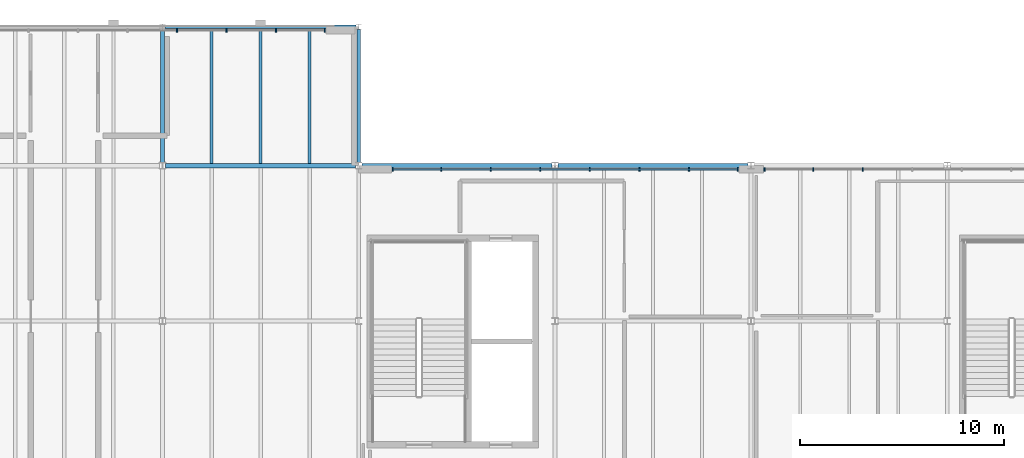
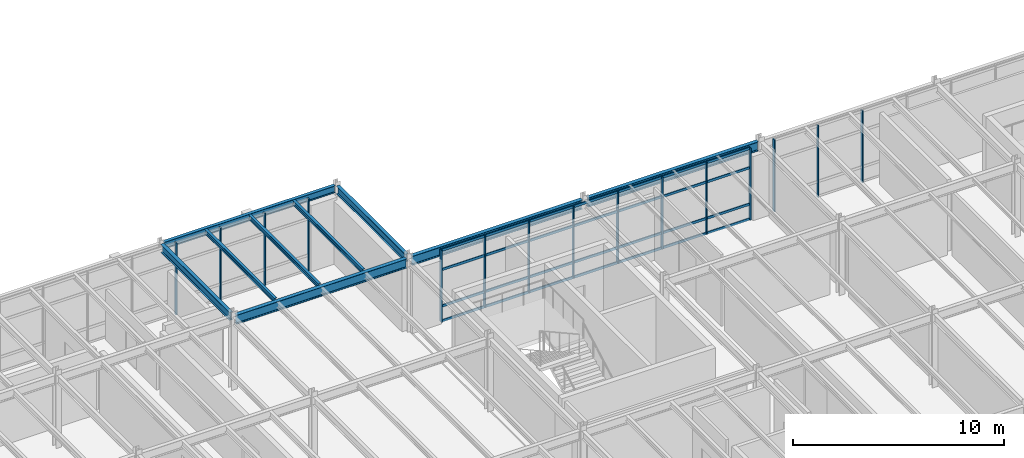
# One storey, part 30 of 69: 19 members, 9 beams, 3 elements without a shape of their own.
"""IFC4 building model written with IfcOpenShell, lengths in metres."""

from ifc_helpers import new_model, si_unit, direction, frame, origin, origin_2d, place, context, subcontext, project, spatial, rectangle, i_section, extrude, material, material_profile, profile_set, type_object, element, aggregate, save


model = new_model("IFC4")

# Units and contexts
model_context = context("Model", 3, precision=1e-05, world=origin(), true_north=direction((0.0, 1.0)))
body_context = subcontext(model_context, "Body", "Model", "MODEL_VIEW")
ifc_project = project(units=[si_unit("LENGTHUNIT", "METRE"), si_unit("AREAUNIT", "SQUARE_METRE"), si_unit("VOLUMEUNIT", "CUBIC_METRE"), si_unit("PLANEANGLEUNIT", "RADIAN"), si_unit("MASSUNIT", "GRAM", prefix="KILO")], contexts=[model_context])

# Site, building, storey
site_placement = place(None, origin())
site = spatial("IfcSite", under=ifc_project, at=site_placement, CompositionType="ELEMENT")
building_placement = place(site_placement, origin())
building = spatial("IfcBuilding", under=site, at=building_placement, Name="Sarnbrook Museum", CompositionType="ELEMENT")
storey_placement = place(building_placement, frame((0.0, 0.0, 14.60009765625)))
storey = spatial("IfcBuildingStorey", under=building, at=storey_placement, Name="L03", CompositionType="ELEMENT", Elevation=14.60009765625)

# Beams
ifc_material_1 = material(Name="Structural Steel Grade 300PLUS (AS/NZS 3679.1, fy = 280 MPa for 17 < t <= 40 mm, 300 MPa for t <= 17 mm)", Category="steel")
ifc_material_profile_1 = material_profile(ifc_material_1, i_section(OverallWidth=0.18994140625, OverallDepth=0.45703125, WebThickness=0.009033203125, FlangeThickness=0.014404296875, FilletRadius=0.011474609375, at=origin_2d()), Name="460UB74.6")
ifc_profile_set_1 = profile_set([ifc_material_profile_1], Name="Structural Steel Grade 300PLUS (AS/NZS 3679.1, fy = 280 MPa for 17 < t <= 40 mm, 300 MPa for t <= 17 mm)")
beam_type_1 = type_object("IfcBeamType", Name="BM-UB460", PredefinedType="BEAM", material=ifc_profile_set_1)
for number, where, z_axis, x_axis, name in (
    (1, (71.199951171875, 108.5576171875, 4.0615234375), (0.0, 1.0, 0.0), (-1.0, 0.0, 0.0), "Girder 8:N-P L03"),
    (2, (80.800048828125, 108.5576171875, 4.0615234375), (0.0, 1.0, 0.0), (-1.0, 0.0, 0.0), "Girder 9:N-P L03"),
):
    element("IfcBeam", number, at=place(storey_placement, frame(where, z_axis=z_axis, x_axis=x_axis)), inside=storey, type_object=beam_type_1, Name=name, PredefinedType="BEAM", context=body_context, shape_type="SweptSolid", body=[
        extrude(i_section(OverallWidth=0.18994140625, OverallDepth=0.45703125, WebThickness=0.009033203125, FlangeThickness=0.014404296875, FilletRadius=0.011474609375, at=origin_2d()), origin(), (0.0, 0.0, 1.0), 6.515380859375),
    ])
ifc_material_profile_2 = material_profile(ifc_material_1, i_section(OverallWidth=0.208984375, OverallDepth=0.532958984375, WebThickness=0.01025390625, FlangeThickness=0.015625, FilletRadius=0.013916015625, at=origin_2d()), Name="530UB92.4")
ifc_profile_set_2 = profile_set([ifc_material_profile_2], Name="Structural Steel Grade 300PLUS (AS/NZS 3679.1, fy = 280 MPa for 17 < t <= 40 mm, 300 MPa for t <= 17 mm)")
beam_type_2 = type_object("IfcBeamType", Name="BM-UB530", PredefinedType="BEAM", material=ifc_profile_set_2)
for number, where, z_axis, x_axis, name in (
    (3, (71.353515625, 108.39990234375, 3.943359375), (1.0, 0.0, 0.0), (0.0, 1.0, 0.0), "Girder N:8-9 L03"),
    (4, (80.95361328125, 108.39990234375, 3.9833984375), (1.0, 0.0, 0.0), (0.0, 1.0, 0.0), "Girder N:9-10 L03"),
    (5, (90.553466796875, 108.39990234375, 3.9833984375), (1.0, 0.0, 0.0), (0.0, 1.0, 0.0), "Girder N:10-11 L03"),
):
    element("IfcBeam", number, at=place(storey_placement, frame(where, z_axis=z_axis, x_axis=x_axis)), inside=storey, type_object=beam_type_2, Name=name, PredefinedType="BEAM", context=body_context, shape_type="SweptSolid", body=[
        extrude(i_section(OverallWidth=0.208984375, OverallDepth=0.532958984375, WebThickness=0.01025390625, FlangeThickness=0.015625, FilletRadius=0.013916015625, at=origin_2d()), origin(), (0.0, 0.0, 1.0), 9.29296875),
    ])

# Curtain wall, members
ifc_material_2 = material(Name="Thermally Broken Anodised Aluminium 6063-T6", Category="aluminium")
curtain_wall_type = type_object("IfcCurtainWallType", Name="CurtainWall_GalleryRibbon", PredefinedType="NOTDEFINED", material=ifc_material_2)
curtain_wall_1_placement = place(storey_placement, origin())
curtain_wall_1 = element("IfcCurtainWall", 6, at=curtain_wall_1_placement, inside=storey, type_object=curtain_wall_type, Name="Gallery Ribbon Curtain Wall L03-6.1", PredefinedType="NOTDEFINED")
ifc_material_profile_3 = material_profile(ifc_material_2, rectangle(XDim=0.06005859375, YDim=0.159912109375, at=origin_2d()), Name="ALU MULLION 60x160")
ifc_profile_set_3 = profile_set([ifc_material_profile_3], Name="Thermally Broken Anodised Aluminium 6063-T6")
member_type_1 = type_object("IfcMemberType", Name="CW_Mullion_150x65", PredefinedType="MULLION", material=ifc_profile_set_3)
member_1_placement = place(storey_placement, frame((105.4658203125, 108.219970703125, 0.0), z_axis=(0.0, 0.0, 1.0), x_axis=(1.0, 0.0, 0.0)))
member_1 = element("IfcMember", 7, at=member_1_placement, type_object=member_type_1, Name="Gallery Ribbon Curtain Wall L03-6.1 Mullion 6", PredefinedType="MULLION", context=body_context, shape_type="SweptSolid", body=[
    extrude(rectangle(XDim=0.06005859375, YDim=0.159912109375, at=origin_2d()), origin(), (0.0, 0.0, 1.0), 4.159912109375),
])
member_2_placement = place(storey_placement, frame((103.04296875, 108.219970703125, 0.0), z_axis=(0.0, 0.0, 1.0), x_axis=(1.0, 0.0, 0.0)))
member_2 = element("IfcMember", 8, at=member_2_placement, type_object=member_type_1, Name="Gallery Ribbon Curtain Wall L03-6.1 Mullion 7", PredefinedType="MULLION", context=body_context, shape_type="SweptSolid", body=[
    extrude(rectangle(XDim=0.06005859375, YDim=0.159912109375, at=origin_2d()), origin(), (0.0, 0.0, 1.0), 4.159912109375),
])
member_3_placement = place(storey_placement, frame((100.659912109375, 108.219970703125, 0.0), z_axis=(0.0, 0.0, 1.0), x_axis=(1.0, 0.0, 0.0)))
member_3 = element("IfcMember", 9, at=member_3_placement, type_object=member_type_1, Name="Gallery Ribbon Curtain Wall L03-6.1 Mullion 8", PredefinedType="MULLION", context=body_context, shape_type="SweptSolid", body=[
    extrude(rectangle(XDim=0.06005859375, YDim=0.159912109375, at=origin_2d()), origin(), (0.0, 0.0, 1.0), 4.159912109375),
])
aggregate(curtain_wall_1, [member_1, member_2, member_3])

curtain_wall_2_placement = place(storey_placement, origin())
curtain_wall_2 = element("IfcCurtainWall", 10, at=curtain_wall_2_placement, inside=storey, type_object=curtain_wall_type, Name="Gallery Ribbon Curtain Wall L03-6.2", PredefinedType="NOTDEFINED")
member_4_placement = place(storey_placement, frame((99.340087890625, 108.219970703125, 0.0), z_axis=(0.0, 0.0, 1.0), x_axis=(1.0, 0.0, 0.0)))
member_4 = element("IfcMember", 11, at=member_4_placement, type_object=member_type_1, Name="Gallery Ribbon Curtain Wall L03-6.2 Mullion 1", PredefinedType="MULLION", context=body_context, shape_type="SweptSolid", body=[
    extrude(rectangle(XDim=0.06005859375, YDim=0.159912109375, at=origin_2d()), origin(), (0.0, 0.0, 1.0), 4.159912109375),
])
member_5_placement = place(storey_placement, frame((96.95703125, 108.219970703125, 0.0), z_axis=(0.0, 0.0, 1.0), x_axis=(1.0, 0.0, 0.0)))
member_5 = element("IfcMember", 12, at=member_5_placement, type_object=member_type_1, Name="Gallery Ribbon Curtain Wall L03-6.2 Mullion 2", PredefinedType="MULLION", context=body_context, shape_type="SweptSolid", body=[
    extrude(rectangle(XDim=0.06005859375, YDim=0.159912109375, at=origin_2d()), origin(), (0.0, 0.0, 1.0), 4.159912109375),
])
member_6_placement = place(storey_placement, frame((94.5341796875, 108.219970703125, 0.0), z_axis=(0.0, 0.0, 1.0), x_axis=(1.0, 0.0, 0.0)))
member_6 = element("IfcMember", 13, at=member_6_placement, type_object=member_type_1, Name="Gallery Ribbon Curtain Wall L03-6.2 Mullion 3", PredefinedType="MULLION", context=body_context, shape_type="SweptSolid", body=[
    extrude(rectangle(XDim=0.06005859375, YDim=0.159912109375, at=origin_2d()), origin(), (0.0, 0.0, 1.0), 4.159912109375),
])
member_7_placement = place(storey_placement, frame((92.111328125, 108.219970703125, 0.0), z_axis=(0.0, 0.0, 1.0), x_axis=(1.0, 0.0, 0.0)))
member_7 = element("IfcMember", 14, at=member_7_placement, type_object=member_type_1, Name="Gallery Ribbon Curtain Wall L03-6.2 Mullion 4", PredefinedType="MULLION", context=body_context, shape_type="SweptSolid", body=[
    extrude(rectangle(XDim=0.06005859375, YDim=0.159912109375, at=origin_2d()), origin(), (0.0, 0.0, 1.0), 4.159912109375),
])
member_8_placement = place(storey_placement, frame((89.688720703125, 108.219970703125, 0.0), z_axis=(0.0, 0.0, 1.0), x_axis=(1.0, 0.0, 0.0)))
member_8 = element("IfcMember", 15, at=member_8_placement, type_object=member_type_1, Name="Gallery Ribbon Curtain Wall L03-6.2 Mullion 5", PredefinedType="MULLION", context=body_context, shape_type="SweptSolid", body=[
    extrude(rectangle(XDim=0.06005859375, YDim=0.159912109375, at=origin_2d()), origin(), (0.0, 0.0, 1.0), 4.159912109375),
])
member_9_placement = place(storey_placement, frame((87.265625, 108.219970703125, 0.0), z_axis=(0.0, 0.0, 1.0), x_axis=(1.0, 0.0, 0.0)))
member_9 = element("IfcMember", 16, at=member_9_placement, type_object=member_type_1, Name="Gallery Ribbon Curtain Wall L03-6.2 Mullion 6", PredefinedType="MULLION", context=body_context, shape_type="SweptSolid", body=[
    extrude(rectangle(XDim=0.06005859375, YDim=0.159912109375, at=origin_2d()), origin(), (0.0, 0.0, 1.0), 4.159912109375),
])
member_10_placement = place(storey_placement, frame((84.843017578125, 108.219970703125, 0.0), z_axis=(0.0, 0.0, 1.0), x_axis=(1.0, 0.0, 0.0)))
member_10 = element("IfcMember", 17, at=member_10_placement, type_object=member_type_1, Name="Gallery Ribbon Curtain Wall L03-6.2 Mullion 7", PredefinedType="MULLION", context=body_context, shape_type="SweptSolid", body=[
    extrude(rectangle(XDim=0.06005859375, YDim=0.159912109375, at=origin_2d()), origin(), (0.0, 0.0, 1.0), 4.159912109375),
])
member_11_placement = place(storey_placement, frame((82.4599609375, 108.219970703125, 0.0), z_axis=(0.0, 0.0, 1.0), x_axis=(1.0, 0.0, 0.0)))
member_11 = element("IfcMember", 18, at=member_11_placement, type_object=member_type_1, Name="Gallery Ribbon Curtain Wall L03-6.2 Mullion 8", PredefinedType="MULLION", context=body_context, shape_type="SweptSolid", body=[
    extrude(rectangle(XDim=0.06005859375, YDim=0.159912109375, at=origin_2d()), origin(), (0.0, 0.0, 1.0), 4.159912109375),
])

curtain_wall_3_placement = place(storey_placement, origin())
curtain_wall_3 = element("IfcCurtainWall", 19, at=curtain_wall_3_placement, inside=storey, type_object=curtain_wall_type, Name="Gallery Ribbon Curtain Wall L03-8.1", PredefinedType="NOTDEFINED")
member_12_placement = place(storey_placement, frame((79.139892578125, 115.02001953125, 0.0), z_axis=(0.0, 0.0, 1.0), x_axis=(1.0, 0.0, 0.0)))
member_12 = element("IfcMember", 20, at=member_12_placement, type_object=member_type_1, Name="Gallery Ribbon Curtain Wall L03-8.1 Mullion 1", PredefinedType="MULLION", context=body_context, shape_type="SweptSolid", body=[
    extrude(rectangle(XDim=0.06005859375, YDim=0.159912109375, at=origin_2d()), origin(), (0.0, 0.0, 1.0), 4.159912109375),
])
member_13_placement = place(storey_placement, frame((76.757080078125, 115.02001953125, 0.0), z_axis=(0.0, 0.0, 1.0), x_axis=(1.0, 0.0, 0.0)))
member_13 = element("IfcMember", 21, at=member_13_placement, type_object=member_type_1, Name="Gallery Ribbon Curtain Wall L03-8.1 Mullion 2", PredefinedType="MULLION", context=body_context, shape_type="SweptSolid", body=[
    extrude(rectangle(XDim=0.06005859375, YDim=0.159912109375, at=origin_2d()), origin(), (0.0, 0.0, 1.0), 4.159912109375),
])
member_14_placement = place(storey_placement, frame((74.334228515625, 115.02001953125, 0.0), z_axis=(0.0, 0.0, 1.0), x_axis=(1.0, 0.0, 0.0)))
member_14 = element("IfcMember", 22, at=member_14_placement, type_object=member_type_1, Name="Gallery Ribbon Curtain Wall L03-8.1 Mullion 3", PredefinedType="MULLION", context=body_context, shape_type="SweptSolid", body=[
    extrude(rectangle(XDim=0.06005859375, YDim=0.159912109375, at=origin_2d()), origin(), (0.0, 0.0, 1.0), 4.159912109375),
])
member_15_placement = place(storey_placement, frame((71.911376953125, 115.02001953125, 0.0), z_axis=(0.0, 0.0, 1.0), x_axis=(1.0, 0.0, 0.0)))
member_15 = element("IfcMember", 23, at=member_15_placement, type_object=member_type_1, Name="Gallery Ribbon Curtain Wall L03-8.1 Mullion 4", PredefinedType="MULLION", context=body_context, shape_type="SweptSolid", body=[
    extrude(rectangle(XDim=0.06005859375, YDim=0.159912109375, at=origin_2d()), origin(), (0.0, 0.0, 1.0), 4.159912109375),
])
aggregate(curtain_wall_3, [member_12, member_13, member_14, member_15])

# Member
ifc_material_profile_4 = material_profile(ifc_material_2, rectangle(XDim=0.06494140625, YDim=0.139892578125, at=origin_2d()), Name="ALU TRANSOM 65x140")
ifc_profile_set_4 = profile_set([ifc_material_profile_4], Name="Thermally Broken Anodised Aluminium 6063-T6")
member_type_2 = type_object("IfcMemberType", Name="CW_Transom_150x65", PredefinedType="USERDEFINED", material=ifc_profile_set_4)
member_16_placement = place(storey_placement, frame((99.330078125, 108.219970703125, 0.039794921875), z_axis=(-1.0, 0.0, 0.0), x_axis=(0.0, -1.0, 0.0)))
member_16 = element("IfcMember", 24, at=member_16_placement, type_object=member_type_2, Name="Gallery Ribbon Curtain Wall L03-6.2 Transom 1", ObjectType="TRANSOM", PredefinedType="USERDEFINED", context=body_context, shape_type="SweptSolid", body=[
    extrude(rectangle(XDim=0.06494140625, YDim=0.139892578125, at=origin_2d()), origin(), (0.0, 0.0, 1.0), 16.860107421875),
])

member_17_placement = place(storey_placement, frame((99.330078125, 108.219970703125, 0.89990234375), z_axis=(-1.0, 0.0, 0.0), x_axis=(0.0, -1.0, 0.0)))
member_17 = element("IfcMember", 25, at=member_17_placement, type_object=member_type_2, Name="Gallery Ribbon Curtain Wall L03-6.2 Transom 2", ObjectType="TRANSOM", PredefinedType="USERDEFINED", context=body_context, shape_type="SweptSolid", body=[
    extrude(rectangle(XDim=0.06494140625, YDim=0.139892578125, at=origin_2d()), origin(), (0.0, 0.0, 1.0), 16.860107421875),
])

member_18_placement = place(storey_placement, frame((99.330078125, 108.219970703125, 3.0), z_axis=(-1.0, 0.0, 0.0), x_axis=(0.0, -1.0, 0.0)))
member_18 = element("IfcMember", 26, at=member_18_placement, type_object=member_type_2, Name="Gallery Ribbon Curtain Wall L03-6.2 Transom 3", ObjectType="TRANSOM", PredefinedType="USERDEFINED", context=body_context, shape_type="SweptSolid", body=[
    extrude(rectangle(XDim=0.06494140625, YDim=0.139892578125, at=origin_2d()), origin(), (0.0, 0.0, 1.0), 16.860107421875),
])

member_19_placement = place(storey_placement, frame((99.330078125, 108.219970703125, 4.119873046875), z_axis=(-1.0, 0.0, 0.0), x_axis=(0.0, -1.0, 0.0)))
member_19 = element("IfcMember", 27, at=member_19_placement, type_object=member_type_2, Name="Gallery Ribbon Curtain Wall L03-6.2 Transom 4", ObjectType="TRANSOM", PredefinedType="USERDEFINED", context=body_context, shape_type="SweptSolid", body=[
    extrude(rectangle(XDim=0.06494140625, YDim=0.139892578125, at=origin_2d()), origin(), (0.0, 0.0, 1.0), 16.860107421875),
])

aggregate(curtain_wall_2, [member_4, member_5, member_6, member_7, member_8, member_9, member_10, member_11, member_16, member_17, member_18, member_19])

# Beams
ifc_material_profile_5 = material_profile(ifc_material_1, i_section(OverallWidth=0.14599609375, OverallDepth=0.256103515625, WebThickness=0.00634765625, FlangeThickness=0.010986328125, FilletRadius=0.0087890625, at=origin_2d()), Name="250UB37.3")
ifc_profile_set_5 = profile_set([ifc_material_profile_5], Name="Structural Steel Grade 300PLUS (AS/NZS 3679.1, fy = 280 MPa for 17 < t <= 40 mm, 300 MPa for t <= 17 mm)")
beam_type_3 = type_object("IfcBeamType", Name="JS-UB250", PredefinedType="JOIST", material=ifc_profile_set_5)
for number, where, z_axis, x_axis, name in (
    (28, (73.60009765625, 108.50439453125, 4.161865234375), (0.0, 1.0, 0.0), (-1.0, 0.0, 0.0), "Composite Floor Joist 8N-1 L03"),
    (29, (76.0, 108.50439453125, 4.161865234375), (0.0, 1.0, 0.0), (-1.0, 0.0, 0.0), "Composite Floor Joist 8N-2 L03"),
    (30, (78.39990234375, 108.50439453125, 4.161865234375), (0.0, 1.0, 0.0), (-1.0, 0.0, 0.0), "Composite Floor Joist 8N-3 L03"),
):
    element("IfcBeam", number, at=place(storey_placement, frame(where, z_axis=z_axis, x_axis=x_axis)), inside=storey, type_object=beam_type_3, Name=name, PredefinedType="JOIST", context=body_context, shape_type="SweptSolid", body=[
        extrude(i_section(OverallWidth=0.14599609375, OverallDepth=0.256103515625, WebThickness=0.00634765625, FlangeThickness=0.010986328125, FilletRadius=0.0087890625, at=origin_2d()), origin(), (0.0, 0.0, 1.0), 6.606689453125),
    ])
ifc_material_profile_6 = material_profile(ifc_material_1, i_section(OverallWidth=0.177978515625, OverallDepth=0.406005859375, WebThickness=0.0078125, FlangeThickness=0.0126953125, FilletRadius=0.011474609375, at=origin_2d()), Name="410UB59.7")
ifc_profile_set_6 = profile_set([ifc_material_profile_6], Name="Structural Steel Grade 300PLUS (AS/NZS 3679.1, fy = 280 MPa for 17 < t <= 40 mm, 300 MPa for t <= 17 mm)")
beam_type_4 = type_object("IfcBeamType", Name="SP-UB410", PredefinedType="SPANDREL", material=ifc_profile_set_6)
beam_placement = place(storey_placement, frame((71.326904296875, 115.199951171875, 4.0869140625), z_axis=(1.0, 0.0, 0.0), x_axis=(0.0, 1.0, 0.0)))
element("IfcBeam", 31, at=beam_placement, inside=storey, type_object=beam_type_4, Name="Girder P:8-9 L03", PredefinedType="SPANDREL", context=body_context, shape_type="SweptSolid", body=[
    extrude(i_section(OverallWidth=0.177978515625, OverallDepth=0.406005859375, WebThickness=0.0078125, FlangeThickness=0.0126953125, FilletRadius=0.011474609375, at=origin_2d()), origin(), (0.0, 0.0, 1.0), 9.34619140625),
])

save(model, "model.ifc")
